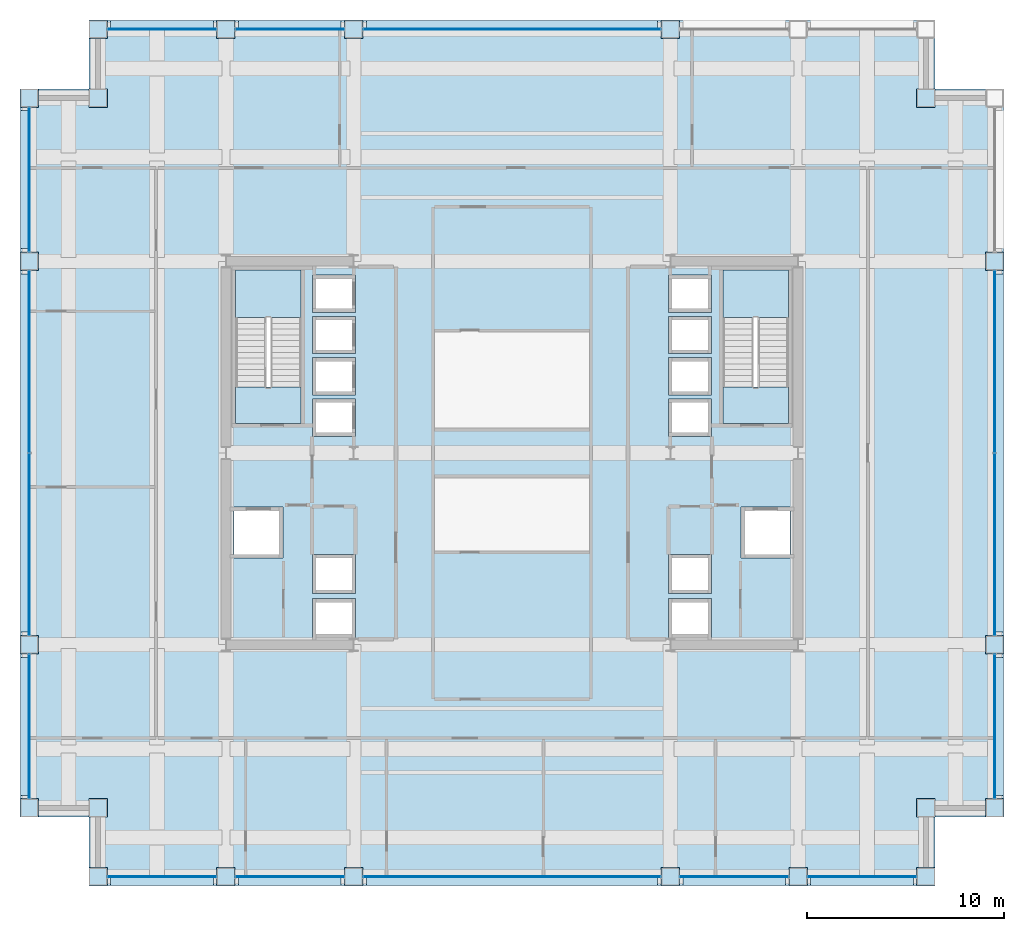
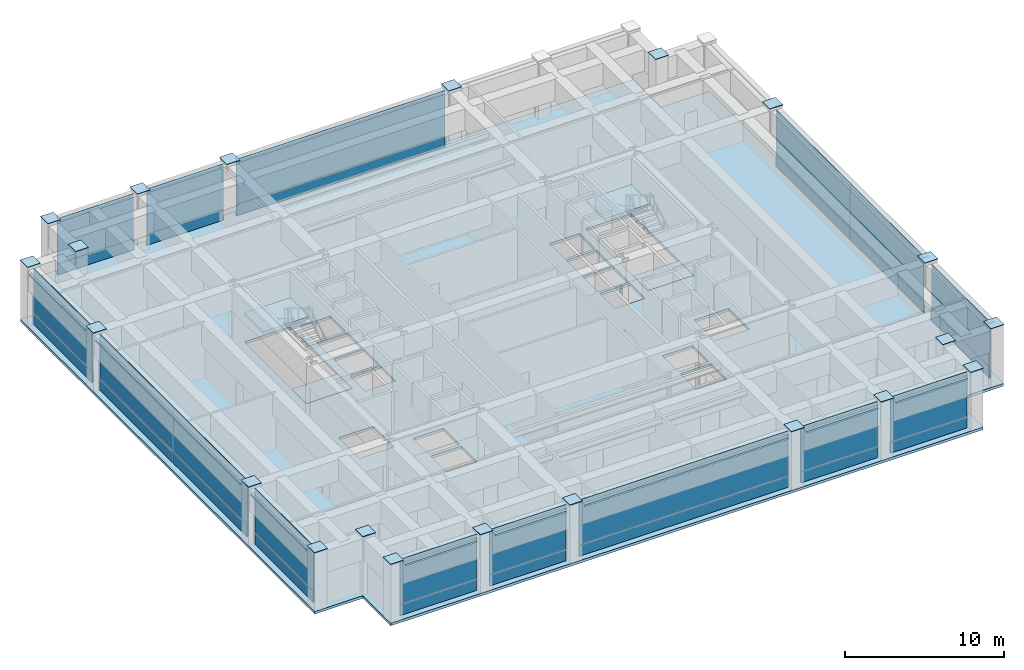
# One storey, part 24 of 29: 64 plates, 5 slabs, 15 elements without a shape of their own.
"""IFC4 building model written with IfcOpenShell, lengths in metres."""

from ifc_helpers import new_model, si_unit, direction, frame, origin, origin_2d, place, context, subcontext, project, spatial, polyline, rectangle, outline, extrude, material, layer, layer_set, type_object, element, aggregate, save


model = new_model("IFC4")

# Units and contexts
model_context = context("Model", 3, precision=1e-05, world=origin(), true_north=direction((0.0, 1.0)))
body_context = subcontext(model_context, "Body", "Model", "MODEL_VIEW")
ifc_project = project(units=[si_unit("LENGTHUNIT", "METRE"), si_unit("AREAUNIT", "SQUARE_METRE"), si_unit("VOLUMEUNIT", "CUBIC_METRE"), si_unit("PLANEANGLEUNIT", "RADIAN"), si_unit("MASSUNIT", "GRAM", prefix="KILO")], contexts=[model_context])

# Site, building, storey
site_placement = place(None, origin())
site = spatial("IfcSite", under=ifc_project, at=site_placement, CompositionType="ELEMENT")
building_placement = place(site_placement, origin())
building = spatial("IfcBuilding", under=site, at=building_placement, Name="Brelmoor Portico Tower", CompositionType="ELEMENT")
storey_placement = place(building_placement, frame((0.0, 0.0, 82.800048828125)))
storey = spatial("IfcBuildingStorey", under=building, at=storey_placement, Name="L21", CompositionType="ELEMENT", Elevation=82.800048828125)

# Plates
ifc_material_1 = material(Name="Steel Q355B", Category="steel")
ifc_layer_1 = layer(ifc_material_1, 0.044921875)
ifc_layer_set_1 = layer_set([ifc_layer_1], Name="Steel Q355B")
plate_type_1 = type_object("IfcPlateType", Name="PT-CAP-650", PredefinedType="SHEET", material=ifc_layer_set_1)
for number, where, z_axis, x_axis, name in (
    (1, (-21.050048828125, -21.550048828125, 4.5), (0.0, 0.0, 1.0), (1.0, 0.0, 0.0), "L21 Perimeter Mega-Column PS01 Welded Head Cap Plate"),
    (2, (-14.550048828125, -21.550048828125, 4.5), (0.0, 0.0, 1.0), (1.0, 0.0, 0.0), "L21 Perimeter Mega-Column PS02 Welded Head Cap Plate"),
    (3, (-8.050048828125, -21.550048828125, 4.5), (0.0, 0.0, 1.0), (1.0, 0.0, 0.0), "L21 Perimeter Mega-Column PS03 Welded Head Cap Plate"),
    (4, (8.050048828125, -21.550048828125, 4.5), (0.0, 0.0, 1.0), (1.0, 0.0, 0.0), "L21 Perimeter Mega-Column PS04 Welded Head Cap Plate"),
    (5, (14.550048828125, -21.550048828125, 4.5), (0.0, 0.0, 1.0), (1.0, 0.0, 0.0), "L21 Perimeter Mega-Column PS05 Welded Head Cap Plate"),
    (6, (21.050048828125, -21.550048828125, 4.5), (0.0, 0.0, 1.0), (1.0, 0.0, 0.0), "L21 Perimeter Mega-Column PS06 Welded Head Cap Plate"),
    (7, (-21.050048828125, 21.550048828125, 4.5), (0.0, 0.0, 1.0), (1.0, 0.0, 0.0), "L21 Perimeter Mega-Column PN01 Welded Head Cap Plate"),
    (8, (-14.550048828125, 21.550048828125, 4.5), (0.0, 0.0, 1.0), (1.0, 0.0, 0.0), "L21 Perimeter Mega-Column PN02 Welded Head Cap Plate"),
    (9, (-8.050048828125, 21.550048828125, 4.5), (0.0, 0.0, 1.0), (1.0, 0.0, 0.0), "L21 Perimeter Mega-Column PN03 Welded Head Cap Plate"),
    (10, (8.050048828125, 21.550048828125, 4.5), (0.0, 0.0, 1.0), (1.0, 0.0, 0.0), "L21 Perimeter Mega-Column PN04 Welded Head Cap Plate"),
    (11, (-24.550048828125, -18.050048828125, 4.5), (0.0, 0.0, 1.0), (0.0, 1.0, 0.0), "L21 Perimeter Mega-Column PW01 Welded Head Cap Plate"),
    (12, (-24.550048828125, -9.75, 4.5), (0.0, 0.0, 1.0), (0.0, 1.0, 0.0), "L21 Perimeter Mega-Column PW02 Welded Head Cap Plate"),
    (13, (-24.550048828125, 9.75, 4.5), (0.0, 0.0, 1.0), (0.0, 1.0, 0.0), "L21 Perimeter Mega-Column PW03 Welded Head Cap Plate"),
    (14, (-24.550048828125, 18.050048828125, 4.5), (0.0, 0.0, 1.0), (0.0, 1.0, 0.0), "L21 Perimeter Mega-Column PW04 Welded Head Cap Plate"),
    (15, (24.550048828125, -18.050048828125, 4.5), (0.0, 0.0, 1.0), (0.0, 1.0, 0.0), "L21 Perimeter Mega-Column PE01 Welded Head Cap Plate"),
    (16, (24.550048828125, -9.75, 4.5), (0.0, 0.0, 1.0), (0.0, 1.0, 0.0), "L21 Perimeter Mega-Column PE02 Welded Head Cap Plate"),
    (17, (24.550048828125, 9.75, 4.5), (0.0, 0.0, 1.0), (0.0, 1.0, 0.0), "L21 Perimeter Mega-Column PE03 Welded Head Cap Plate"),
    (18, (-21.050048828125, 18.050048828125, 4.5), (0.0, 0.0, 1.0), (1.0, 0.0, 0.0), "L21 Perimeter Mega-Column PC-NW Welded Head Cap Plate"),
    (19, (21.050048828125, 18.050048828125, 4.5), (0.0, 0.0, 1.0), (1.0, 0.0, 0.0), "L21 Perimeter Mega-Column PC-NE Welded Head Cap Plate"),
    (20, (21.050048828125, -18.050048828125, 4.5), (0.0, 0.0, 1.0), (1.0, 0.0, 0.0), "L21 Perimeter Mega-Column PC-SE Welded Head Cap Plate"),
    (21, (-21.050048828125, -18.050048828125, 4.5), (0.0, 0.0, 1.0), (1.0, 0.0, 0.0), "L21 Perimeter Mega-Column PC-SW Welded Head Cap Plate"),
):
    element("IfcPlate", number, at=place(storey_placement, frame(where, z_axis=z_axis, x_axis=x_axis)), inside=storey, type_object=plate_type_1, Name=name, PredefinedType="SHEET", context=body_context, shape_type="SweptSolid", body=[
        extrude(rectangle(XDim=0.93994140625, YDim=0.93994140625, at=origin_2d()), origin(), (0.0, 0.0, 1.0), 0.0400390625),
    ])

# Curtain wall, plate
ifc_material_2 = material(Name="Anodised Aluminium Alloy 6063-T6", Category="aluminium")
ifc_layer_2 = layer(ifc_material_2, 0.179931640625)
ifc_layer_set_2 = layer_set([ifc_layer_2], Name="Anodised Aluminium Alloy 6063-T6")
curtain_wall_type = type_object("IfcCurtainWallType", Name="CW-TOWER-Z1", PredefinedType="NOTDEFINED", material=ifc_layer_set_2)
curtain_wall_1_placement = place(storey_placement, origin())
curtain_wall_1 = element("IfcCurtainWall", 22, at=curtain_wall_1_placement, inside=storey, type_object=curtain_wall_type, Name="L21 Curtain Wall CW-L21-01-1", PredefinedType="NOTDEFINED")
ifc_material_3 = material(Name="Double-Silver Low-E Insulated Glazing", Category="glass")
ifc_layer_3 = layer(ifc_material_3, 0.035888671875)
ifc_layer_set_3 = layer_set([ifc_layer_3], Name="Double-Silver Low-E Insulated Glazing")
plate_type_2 = type_object("IfcPlateType", Name="PT-CW-GLASS", PredefinedType="CURTAIN_PANEL", material=ifc_layer_set_3)
plate_1_placement = place(storey_placement, frame((-17.800048828125, -21.550048828125, 0.85009765625), z_axis=(0.0, 0.0, 1.0), x_axis=(1.0, 0.0, 0.0)))
plate_1 = element("IfcPlate", 23, at=plate_1_placement, type_object=plate_type_2, Name="CW-L21-01-1 Vision Glass Panel 00", PredefinedType="CURTAIN_PANEL", context=body_context, shape_type="SweptSolid", body=[
    extrude(rectangle(XDim=5.550048828125, YDim=0.035888671875, at=origin_2d()), origin(), (0.0, 0.0, 1.0), 3.449951171875),
])

curtain_wall_2_placement = place(storey_placement, origin())
curtain_wall_2 = element("IfcCurtainWall", 24, at=curtain_wall_2_placement, inside=storey, type_object=curtain_wall_type, Name="L21 Curtain Wall CW-L21-01-2", PredefinedType="NOTDEFINED")
plate_2_placement = place(storey_placement, frame((-11.300048828125, -21.550048828125, 0.85009765625), z_axis=(0.0, 0.0, 1.0), x_axis=(1.0, 0.0, 0.0)))
plate_2 = element("IfcPlate", 25, at=plate_2_placement, type_object=plate_type_2, Name="CW-L21-01-2 Vision Glass Panel 00", PredefinedType="CURTAIN_PANEL", context=body_context, shape_type="SweptSolid", body=[
    extrude(rectangle(XDim=5.550048828125, YDim=0.035888671875, at=origin_2d()), origin(), (0.0, 0.0, 1.0), 3.449951171875),
])

curtain_wall_3_placement = place(storey_placement, origin())
curtain_wall_3 = element("IfcCurtainWall", 26, at=curtain_wall_3_placement, inside=storey, type_object=curtain_wall_type, Name="L21 Curtain Wall CW-L21-01-3", PredefinedType="NOTDEFINED")
plate_3_placement = place(storey_placement, frame((0.0, -21.550048828125, 0.85009765625), z_axis=(0.0, 0.0, 1.0), x_axis=(1.0, 0.0, 0.0)))
plate_3 = element("IfcPlate", 27, at=plate_3_placement, type_object=plate_type_2, Name="CW-L21-01-3 Vision Glass Panel 00", PredefinedType="CURTAIN_PANEL", context=body_context, shape_type="SweptSolid", body=[
    extrude(rectangle(XDim=15.14990234375, YDim=0.035888671875, at=origin_2d()), origin(), (0.0, 0.0, 1.0), 3.449951171875),
])

curtain_wall_4_placement = place(storey_placement, origin())
curtain_wall_4 = element("IfcCurtainWall", 28, at=curtain_wall_4_placement, inside=storey, type_object=curtain_wall_type, Name="L21 Curtain Wall CW-L21-01-4", PredefinedType="NOTDEFINED")
plate_4_placement = place(storey_placement, frame((11.300048828125, -21.550048828125, 0.85009765625), z_axis=(0.0, 0.0, 1.0), x_axis=(1.0, 0.0, 0.0)))
plate_4 = element("IfcPlate", 29, at=plate_4_placement, type_object=plate_type_2, Name="CW-L21-01-4 Vision Glass Panel 00", PredefinedType="CURTAIN_PANEL", context=body_context, shape_type="SweptSolid", body=[
    extrude(rectangle(XDim=5.550048828125, YDim=0.035888671875, at=origin_2d()), origin(), (0.0, 0.0, 1.0), 3.449951171875),
])

curtain_wall_5_placement = place(storey_placement, origin())
curtain_wall_5 = element("IfcCurtainWall", 30, at=curtain_wall_5_placement, inside=storey, type_object=curtain_wall_type, Name="L21 Curtain Wall CW-L21-01-5", PredefinedType="NOTDEFINED")
plate_5_placement = place(storey_placement, frame((17.800048828125, -21.550048828125, 0.85009765625), z_axis=(0.0, 0.0, 1.0), x_axis=(1.0, 0.0, 0.0)))
plate_5 = element("IfcPlate", 31, at=plate_5_placement, type_object=plate_type_2, Name="CW-L21-01-5 Vision Glass Panel 00", PredefinedType="CURTAIN_PANEL", context=body_context, shape_type="SweptSolid", body=[
    extrude(rectangle(XDim=5.550048828125, YDim=0.035888671875, at=origin_2d()), origin(), (0.0, 0.0, 1.0), 3.449951171875),
])

curtain_wall_6_placement = place(storey_placement, origin())
curtain_wall_6 = element("IfcCurtainWall", 32, at=curtain_wall_6_placement, inside=storey, type_object=curtain_wall_type, Name="L21 Curtain Wall CW-L21-02-1", PredefinedType="NOTDEFINED")
plate_6_placement = place(storey_placement, frame((-17.800048828125, 21.550048828125, 0.85009765625), z_axis=(0.0, 0.0, 1.0), x_axis=(1.0, 0.0, 0.0)))
plate_6 = element("IfcPlate", 33, at=plate_6_placement, type_object=plate_type_2, Name="CW-L21-02-1 Vision Glass Panel 00", PredefinedType="CURTAIN_PANEL", context=body_context, shape_type="SweptSolid", body=[
    extrude(rectangle(XDim=5.550048828125, YDim=0.035888671875, at=origin_2d()), origin(), (0.0, 0.0, 1.0), 3.449951171875),
])

curtain_wall_7_placement = place(storey_placement, origin())
curtain_wall_7 = element("IfcCurtainWall", 34, at=curtain_wall_7_placement, inside=storey, type_object=curtain_wall_type, Name="L21 Curtain Wall CW-L21-02-2", PredefinedType="NOTDEFINED")
plate_7_placement = place(storey_placement, frame((-11.300048828125, 21.550048828125, 0.85009765625), z_axis=(0.0, 0.0, 1.0), x_axis=(1.0, 0.0, 0.0)))
plate_7 = element("IfcPlate", 35, at=plate_7_placement, type_object=plate_type_2, Name="CW-L21-02-2 Vision Glass Panel 00", PredefinedType="CURTAIN_PANEL", context=body_context, shape_type="SweptSolid", body=[
    extrude(rectangle(XDim=5.550048828125, YDim=0.035888671875, at=origin_2d()), origin(), (0.0, 0.0, 1.0), 3.449951171875),
])

curtain_wall_8_placement = place(storey_placement, origin())
curtain_wall_8 = element("IfcCurtainWall", 36, at=curtain_wall_8_placement, inside=storey, type_object=curtain_wall_type, Name="L21 Curtain Wall CW-L21-02-3", PredefinedType="NOTDEFINED")
plate_8_placement = place(storey_placement, frame((0.0, 21.550048828125, 0.85009765625), z_axis=(0.0, 0.0, 1.0), x_axis=(1.0, 0.0, 0.0)))
plate_8 = element("IfcPlate", 37, at=plate_8_placement, type_object=plate_type_2, Name="CW-L21-02-3 Vision Glass Panel 00", PredefinedType="CURTAIN_PANEL", context=body_context, shape_type="SweptSolid", body=[
    extrude(rectangle(XDim=15.14990234375, YDim=0.035888671875, at=origin_2d()), origin(), (0.0, 0.0, 1.0), 3.449951171875),
])

curtain_wall_9_placement = place(storey_placement, origin())
curtain_wall_9 = element("IfcCurtainWall", 38, at=curtain_wall_9_placement, inside=storey, type_object=curtain_wall_type, Name="L21 Curtain Wall CW-L21-03-1", PredefinedType="NOTDEFINED")
plate_9_placement = place(storey_placement, frame((-24.550048828125, -13.89990234375, 0.85009765625), z_axis=(0.0, 0.0, 1.0), x_axis=(0.0, 1.0, 0.0)))
plate_9 = element("IfcPlate", 39, at=plate_9_placement, type_object=plate_type_2, Name="CW-L21-03-1 Vision Glass Panel 00", PredefinedType="CURTAIN_PANEL", context=body_context, shape_type="SweptSolid", body=[
    extrude(rectangle(XDim=7.35009765625, YDim=0.035888671875, at=origin_2d()), origin(), (0.0, 0.0, 1.0), 3.449951171875),
])

# Curtain wall, plates
curtain_wall_10_placement = place(storey_placement, origin())
curtain_wall_10 = element("IfcCurtainWall", 40, at=curtain_wall_10_placement, inside=storey, type_object=curtain_wall_type, Name="L21 Curtain Wall CW-L21-03-2", PredefinedType="NOTDEFINED")
plate_10_placement = place(storey_placement, frame((-24.550048828125, -4.64501953125, 0.85009765625), z_axis=(0.0, 0.0, 1.0), x_axis=(0.0, 1.0, 0.0)))
plate_10 = element("IfcPlate", 41, at=plate_10_placement, type_object=plate_type_2, Name="CW-L21-03-2 Vision Glass Panel 00", PredefinedType="CURTAIN_PANEL", context=body_context, shape_type="SweptSolid", body=[
    extrude(rectangle(XDim=9.260009765625, YDim=0.035888671875, at=origin_2d()), origin(), (0.0, 0.0, 1.0), 3.449951171875),
])
plate_11_placement = place(storey_placement, frame((-24.550048828125, 4.64501953125, 0.85009765625), z_axis=(0.0, 0.0, 1.0), x_axis=(0.0, 1.0, 0.0)))
plate_11 = element("IfcPlate", 42, at=plate_11_placement, type_object=plate_type_2, Name="CW-L21-03-2 Vision Glass Panel 01", PredefinedType="CURTAIN_PANEL", context=body_context, shape_type="SweptSolid", body=[
    extrude(rectangle(XDim=9.260009765625, YDim=0.035888671875, at=origin_2d()), origin(), (0.0, 0.0, 1.0), 3.449951171875),
])

# Curtain wall, plate
curtain_wall_11_placement = place(storey_placement, origin())
curtain_wall_11 = element("IfcCurtainWall", 43, at=curtain_wall_11_placement, inside=storey, type_object=curtain_wall_type, Name="L21 Curtain Wall CW-L21-03-3", PredefinedType="NOTDEFINED")
plate_12_placement = place(storey_placement, frame((-24.550048828125, 13.89990234375, 0.85009765625), z_axis=(0.0, 0.0, 1.0), x_axis=(0.0, 1.0, 0.0)))
plate_12 = element("IfcPlate", 44, at=plate_12_placement, type_object=plate_type_2, Name="CW-L21-03-3 Vision Glass Panel 00", PredefinedType="CURTAIN_PANEL", context=body_context, shape_type="SweptSolid", body=[
    extrude(rectangle(XDim=7.35009765625, YDim=0.035888671875, at=origin_2d()), origin(), (0.0, 0.0, 1.0), 3.449951171875),
])

curtain_wall_12_placement = place(storey_placement, origin())
curtain_wall_12 = element("IfcCurtainWall", 45, at=curtain_wall_12_placement, inside=storey, type_object=curtain_wall_type, Name="L21 Curtain Wall CW-L21-04-1", PredefinedType="NOTDEFINED")
plate_13_placement = place(storey_placement, frame((24.550048828125, -13.89990234375, 0.85009765625), z_axis=(0.0, 0.0, 1.0), x_axis=(0.0, 1.0, 0.0)))
plate_13 = element("IfcPlate", 46, at=plate_13_placement, type_object=plate_type_2, Name="CW-L21-04-1 Vision Glass Panel 00", PredefinedType="CURTAIN_PANEL", context=body_context, shape_type="SweptSolid", body=[
    extrude(rectangle(XDim=7.35009765625, YDim=0.035888671875, at=origin_2d()), origin(), (0.0, 0.0, 1.0), 3.449951171875),
])

# Curtain wall, plates
curtain_wall_13_placement = place(storey_placement, origin())
curtain_wall_13 = element("IfcCurtainWall", 47, at=curtain_wall_13_placement, inside=storey, type_object=curtain_wall_type, Name="L21 Curtain Wall CW-L21-04-2", PredefinedType="NOTDEFINED")
plate_14_placement = place(storey_placement, frame((24.550048828125, -4.64501953125, 0.85009765625), z_axis=(0.0, 0.0, 1.0), x_axis=(0.0, 1.0, 0.0)))
plate_14 = element("IfcPlate", 48, at=plate_14_placement, type_object=plate_type_2, Name="CW-L21-04-2 Vision Glass Panel 00", PredefinedType="CURTAIN_PANEL", context=body_context, shape_type="SweptSolid", body=[
    extrude(rectangle(XDim=9.260009765625, YDim=0.035888671875, at=origin_2d()), origin(), (0.0, 0.0, 1.0), 3.449951171875),
])
plate_15_placement = place(storey_placement, frame((24.550048828125, 4.64501953125, 0.85009765625), z_axis=(0.0, 0.0, 1.0), x_axis=(0.0, 1.0, 0.0)))
plate_15 = element("IfcPlate", 49, at=plate_15_placement, type_object=plate_type_2, Name="CW-L21-04-2 Vision Glass Panel 01", PredefinedType="CURTAIN_PANEL", context=body_context, shape_type="SweptSolid", body=[
    extrude(rectangle(XDim=9.260009765625, YDim=0.035888671875, at=origin_2d()), origin(), (0.0, 0.0, 1.0), 3.449951171875),
])

# Plate
ifc_material_4 = material(Name="Pale Champagne Anodised Aluminium Panel", Category="aluminium")
ifc_layer_4 = layer(ifc_material_4, 0.050048828125)
ifc_layer_set_4 = layer_set([ifc_layer_4], Name="Pale Champagne Anodised Aluminium Panel")
plate_type_3 = type_object("IfcPlateType", Name="PT-CW-SPANDREL", PredefinedType="SHEET", material=ifc_layer_set_4)
plate_16_placement = place(storey_placement, frame((-17.800048828125, -21.550048828125, 0.0), z_axis=(0.0, 0.0, 1.0), x_axis=(1.0, 0.0, 0.0)))
plate_16 = element("IfcPlate", 50, at=plate_16_placement, type_object=plate_type_3, Name="CW-L21-01-1 Spandrel Panel 00", PredefinedType="SHEET", context=body_context, shape_type="SweptSolid", body=[
    extrude(rectangle(XDim=5.550048828125, YDim=0.050048828125, at=origin_2d()), origin(), (0.0, 0.0, 1.0), 0.85009765625),
])

aggregate(curtain_wall_1, [plate_16, plate_1])

plate_17_placement = place(storey_placement, frame((-11.300048828125, -21.550048828125, 0.0), z_axis=(0.0, 0.0, 1.0), x_axis=(1.0, 0.0, 0.0)))
plate_17 = element("IfcPlate", 51, at=plate_17_placement, type_object=plate_type_3, Name="CW-L21-01-2 Spandrel Panel 00", PredefinedType="SHEET", context=body_context, shape_type="SweptSolid", body=[
    extrude(rectangle(XDim=5.550048828125, YDim=0.050048828125, at=origin_2d()), origin(), (0.0, 0.0, 1.0), 0.85009765625),
])

aggregate(curtain_wall_2, [plate_17, plate_2])

plate_18_placement = place(storey_placement, frame((0.0, -21.550048828125, 0.0), z_axis=(0.0, 0.0, 1.0), x_axis=(1.0, 0.0, 0.0)))
plate_18 = element("IfcPlate", 52, at=plate_18_placement, type_object=plate_type_3, Name="CW-L21-01-3 Spandrel Panel 00", PredefinedType="SHEET", context=body_context, shape_type="SweptSolid", body=[
    extrude(rectangle(XDim=15.14990234375, YDim=0.050048828125, at=origin_2d()), origin(), (0.0, 0.0, 1.0), 0.85009765625),
])

aggregate(curtain_wall_3, [plate_18, plate_3])

plate_19_placement = place(storey_placement, frame((11.300048828125, -21.550048828125, 0.0), z_axis=(0.0, 0.0, 1.0), x_axis=(1.0, 0.0, 0.0)))
plate_19 = element("IfcPlate", 53, at=plate_19_placement, type_object=plate_type_3, Name="CW-L21-01-4 Spandrel Panel 00", PredefinedType="SHEET", context=body_context, shape_type="SweptSolid", body=[
    extrude(rectangle(XDim=5.550048828125, YDim=0.050048828125, at=origin_2d()), origin(), (0.0, 0.0, 1.0), 0.85009765625),
])

aggregate(curtain_wall_4, [plate_19, plate_4])

plate_20_placement = place(storey_placement, frame((17.800048828125, -21.550048828125, 0.0), z_axis=(0.0, 0.0, 1.0), x_axis=(1.0, 0.0, 0.0)))
plate_20 = element("IfcPlate", 54, at=plate_20_placement, type_object=plate_type_3, Name="CW-L21-01-5 Spandrel Panel 00", PredefinedType="SHEET", context=body_context, shape_type="SweptSolid", body=[
    extrude(rectangle(XDim=5.550048828125, YDim=0.050048828125, at=origin_2d()), origin(), (0.0, 0.0, 1.0), 0.85009765625),
])

aggregate(curtain_wall_5, [plate_20, plate_5])

plate_21_placement = place(storey_placement, frame((-17.800048828125, 21.550048828125, 0.0), z_axis=(0.0, 0.0, 1.0), x_axis=(1.0, 0.0, 0.0)))
plate_21 = element("IfcPlate", 55, at=plate_21_placement, type_object=plate_type_3, Name="CW-L21-02-1 Spandrel Panel 00", PredefinedType="SHEET", context=body_context, shape_type="SweptSolid", body=[
    extrude(rectangle(XDim=5.550048828125, YDim=0.050048828125, at=origin_2d()), origin(), (0.0, 0.0, 1.0), 0.85009765625),
])

aggregate(curtain_wall_6, [plate_21, plate_6])

plate_22_placement = place(storey_placement, frame((-11.300048828125, 21.550048828125, 0.0), z_axis=(0.0, 0.0, 1.0), x_axis=(1.0, 0.0, 0.0)))
plate_22 = element("IfcPlate", 56, at=plate_22_placement, type_object=plate_type_3, Name="CW-L21-02-2 Spandrel Panel 00", PredefinedType="SHEET", context=body_context, shape_type="SweptSolid", body=[
    extrude(rectangle(XDim=5.550048828125, YDim=0.050048828125, at=origin_2d()), origin(), (0.0, 0.0, 1.0), 0.85009765625),
])

aggregate(curtain_wall_7, [plate_22, plate_7])

plate_23_placement = place(storey_placement, frame((0.0, 21.550048828125, 0.0), z_axis=(0.0, 0.0, 1.0), x_axis=(1.0, 0.0, 0.0)))
plate_23 = element("IfcPlate", 57, at=plate_23_placement, type_object=plate_type_3, Name="CW-L21-02-3 Spandrel Panel 00", PredefinedType="SHEET", context=body_context, shape_type="SweptSolid", body=[
    extrude(rectangle(XDim=15.14990234375, YDim=0.050048828125, at=origin_2d()), origin(), (0.0, 0.0, 1.0), 0.85009765625),
])

aggregate(curtain_wall_8, [plate_23, plate_8])

plate_24_placement = place(storey_placement, frame((-24.550048828125, -13.89990234375, 0.0), z_axis=(0.0, 0.0, 1.0), x_axis=(0.0, 1.0, 0.0)))
plate_24 = element("IfcPlate", 58, at=plate_24_placement, type_object=plate_type_3, Name="CW-L21-03-1 Spandrel Panel 00", PredefinedType="SHEET", context=body_context, shape_type="SweptSolid", body=[
    extrude(rectangle(XDim=7.35009765625, YDim=0.050048828125, at=origin_2d()), origin(), (0.0, 0.0, 1.0), 0.85009765625),
])

aggregate(curtain_wall_9, [plate_24, plate_9])

plate_25_placement = place(storey_placement, frame((-24.550048828125, -4.64501953125, 0.0), z_axis=(0.0, 0.0, 1.0), x_axis=(0.0, 1.0, 0.0)))
plate_25 = element("IfcPlate", 59, at=plate_25_placement, type_object=plate_type_3, Name="CW-L21-03-2 Spandrel Panel 00", PredefinedType="SHEET", context=body_context, shape_type="SweptSolid", body=[
    extrude(rectangle(XDim=9.260009765625, YDim=0.050048828125, at=origin_2d()), origin(), (0.0, 0.0, 1.0), 0.85009765625),
])

plate_26_placement = place(storey_placement, frame((-24.550048828125, 4.64501953125, 0.0), z_axis=(0.0, 0.0, 1.0), x_axis=(0.0, 1.0, 0.0)))
plate_26 = element("IfcPlate", 60, at=plate_26_placement, type_object=plate_type_3, Name="CW-L21-03-2 Spandrel Panel 01", PredefinedType="SHEET", context=body_context, shape_type="SweptSolid", body=[
    extrude(rectangle(XDim=9.260009765625, YDim=0.050048828125, at=origin_2d()), origin(), (0.0, 0.0, 1.0), 0.85009765625),
])

aggregate(curtain_wall_10, [plate_25, plate_10, plate_26, plate_11])

plate_27_placement = place(storey_placement, frame((-24.550048828125, 13.89990234375, 0.0), z_axis=(0.0, 0.0, 1.0), x_axis=(0.0, 1.0, 0.0)))
plate_27 = element("IfcPlate", 61, at=plate_27_placement, type_object=plate_type_3, Name="CW-L21-03-3 Spandrel Panel 00", PredefinedType="SHEET", context=body_context, shape_type="SweptSolid", body=[
    extrude(rectangle(XDim=7.35009765625, YDim=0.050048828125, at=origin_2d()), origin(), (0.0, 0.0, 1.0), 0.85009765625),
])

aggregate(curtain_wall_11, [plate_27, plate_12])

plate_28_placement = place(storey_placement, frame((24.550048828125, -13.89990234375, 0.0), z_axis=(0.0, 0.0, 1.0), x_axis=(0.0, 1.0, 0.0)))
plate_28 = element("IfcPlate", 62, at=plate_28_placement, type_object=plate_type_3, Name="CW-L21-04-1 Spandrel Panel 00", PredefinedType="SHEET", context=body_context, shape_type="SweptSolid", body=[
    extrude(rectangle(XDim=7.35009765625, YDim=0.050048828125, at=origin_2d()), origin(), (0.0, 0.0, 1.0), 0.85009765625),
])

aggregate(curtain_wall_12, [plate_28, plate_13])

plate_29_placement = place(storey_placement, frame((24.550048828125, -4.64501953125, 0.0), z_axis=(0.0, 0.0, 1.0), x_axis=(0.0, 1.0, 0.0)))
plate_29 = element("IfcPlate", 63, at=plate_29_placement, type_object=plate_type_3, Name="CW-L21-04-2 Spandrel Panel 00", PredefinedType="SHEET", context=body_context, shape_type="SweptSolid", body=[
    extrude(rectangle(XDim=9.260009765625, YDim=0.050048828125, at=origin_2d()), origin(), (0.0, 0.0, 1.0), 0.85009765625),
])

plate_30_placement = place(storey_placement, frame((24.550048828125, 4.64501953125, 0.0), z_axis=(0.0, 0.0, 1.0), x_axis=(0.0, 1.0, 0.0)))
plate_30 = element("IfcPlate", 64, at=plate_30_placement, type_object=plate_type_3, Name="CW-L21-04-2 Spandrel Panel 01", PredefinedType="SHEET", context=body_context, shape_type="SweptSolid", body=[
    extrude(rectangle(XDim=9.260009765625, YDim=0.050048828125, at=origin_2d()), origin(), (0.0, 0.0, 1.0), 0.85009765625),
])

aggregate(curtain_wall_13, [plate_29, plate_14, plate_30, plate_15])

# Plates
ifc_material_5 = material(Name="Pale Champagne Perforated Aluminium Solar Screen", Category="aluminium")
ifc_layer_5 = layer(ifc_material_5, 0.054931640625)
ifc_layer_set_5 = layer_set([ifc_layer_5], Name="Pale Champagne Perforated Aluminium Solar Screen")
plate_type_4 = type_object("IfcPlateType", Name="PT-SOLAR-LOUVRE", PredefinedType="SHEET", material=ifc_layer_set_5)
for number, where, z_axis, x_axis, name in (
    (65, (-17.800048828125, -21.760009765625, 3.990234375), (0.0, 0.0, 1.0), (1.0, 0.0, 0.0), "CW-L21-01-1 Caribbean Brise-Soleil Solar Screen"),
    (66, (-11.300048828125, -21.760009765625, 3.990234375), (0.0, 0.0, 1.0), (1.0, 0.0, 0.0), "CW-L21-01-2 Caribbean Brise-Soleil Solar Screen"),
):
    element("IfcPlate", number, at=place(storey_placement, frame(where, z_axis=z_axis, x_axis=x_axis)), inside=storey, type_object=plate_type_4, Name=name, PredefinedType="SHEET", context=body_context, shape_type="SweptSolid", body=[
        extrude(rectangle(XDim=5.219970703125, YDim=0.4599609375, at=origin_2d()), origin(), (0.0, 0.0, 1.0), 0.139892578125),
    ])
plate_31_placement = place(storey_placement, frame((0.0, -21.760009765625, 3.990234375), z_axis=(0.0, 0.0, 1.0), x_axis=(1.0, 0.0, 0.0)))
element("IfcPlate", 67, at=plate_31_placement, inside=storey, type_object=plate_type_4, Name="CW-L21-01-3 Caribbean Brise-Soleil Solar Screen", PredefinedType="SHEET", context=body_context, shape_type="SweptSolid", body=[
    extrude(rectangle(XDim=14.820068359375, YDim=0.4599609375, at=origin_2d()), origin(), (0.0, 0.0, 1.0), 0.139892578125),
])
for number, where, z_axis, x_axis, name in (
    (68, (11.300048828125, -21.760009765625, 3.990234375), (0.0, 0.0, 1.0), (1.0, 0.0, 0.0), "CW-L21-01-4 Caribbean Brise-Soleil Solar Screen"),
    (69, (17.800048828125, -21.760009765625, 3.990234375), (0.0, 0.0, 1.0), (1.0, 0.0, 0.0), "CW-L21-01-5 Caribbean Brise-Soleil Solar Screen"),
    (70, (-17.800048828125, 21.760009765625, 3.990234375), (0.0, 0.0, 1.0), (1.0, 0.0, 0.0), "CW-L21-02-1 Caribbean Brise-Soleil Solar Screen"),
    (71, (-11.300048828125, 21.760009765625, 3.990234375), (0.0, 0.0, 1.0), (1.0, 0.0, 0.0), "CW-L21-02-2 Caribbean Brise-Soleil Solar Screen"),
):
    element("IfcPlate", number, at=place(storey_placement, frame(where, z_axis=z_axis, x_axis=x_axis)), inside=storey, type_object=plate_type_4, Name=name, PredefinedType="SHEET", context=body_context, shape_type="SweptSolid", body=[
        extrude(rectangle(XDim=5.219970703125, YDim=0.4599609375, at=origin_2d()), origin(), (0.0, 0.0, 1.0), 0.139892578125),
    ])
plate_32_placement = place(storey_placement, frame((0.0, 21.760009765625, 3.990234375), z_axis=(0.0, 0.0, 1.0), x_axis=(1.0, 0.0, 0.0)))
element("IfcPlate", 72, at=plate_32_placement, inside=storey, type_object=plate_type_4, Name="CW-L21-02-3 Caribbean Brise-Soleil Solar Screen", PredefinedType="SHEET", context=body_context, shape_type="SweptSolid", body=[
    extrude(rectangle(XDim=14.820068359375, YDim=0.4599609375, at=origin_2d()), origin(), (0.0, 0.0, 1.0), 0.139892578125),
])
plate_33_placement = place(storey_placement, frame((-24.760009765625, -13.89990234375, 3.990234375), z_axis=(0.0, 0.0, 1.0), x_axis=(0.0, 1.0, 0.0)))
element("IfcPlate", 73, at=plate_33_placement, inside=storey, type_object=plate_type_4, Name="CW-L21-03-1 Caribbean Brise-Soleil Solar Screen", PredefinedType="SHEET", context=body_context, shape_type="SweptSolid", body=[
    extrude(rectangle(XDim=7.02001953125, YDim=0.4599609375, at=origin_2d()), origin(), (0.0, 0.0, 1.0), 0.139892578125),
])
plate_34_placement = place(storey_placement, frame((-24.760009765625, 0.0, 3.990234375), z_axis=(0.0, 0.0, 1.0), x_axis=(0.0, 1.0, 0.0)))
element("IfcPlate", 74, at=plate_34_placement, inside=storey, type_object=plate_type_4, Name="CW-L21-03-2 Caribbean Brise-Soleil Solar Screen", PredefinedType="SHEET", context=body_context, shape_type="SweptSolid", body=[
    extrude(rectangle(XDim=18.219970703125, YDim=0.4599609375, at=origin_2d()), origin(), (0.0, 0.0, 1.0), 0.139892578125),
])
for number, where, z_axis, x_axis, name in (
    (75, (-24.760009765625, 13.89990234375, 3.990234375), (0.0, 0.0, 1.0), (0.0, 1.0, 0.0), "CW-L21-03-3 Caribbean Brise-Soleil Solar Screen"),
    (76, (24.760009765625, -13.89990234375, 3.990234375), (0.0, 0.0, 1.0), (0.0, 1.0, 0.0), "CW-L21-04-1 Caribbean Brise-Soleil Solar Screen"),
):
    element("IfcPlate", number, at=place(storey_placement, frame(where, z_axis=z_axis, x_axis=x_axis)), inside=storey, type_object=plate_type_4, Name=name, PredefinedType="SHEET", context=body_context, shape_type="SweptSolid", body=[
        extrude(rectangle(XDim=7.02001953125, YDim=0.4599609375, at=origin_2d()), origin(), (0.0, 0.0, 1.0), 0.139892578125),
    ])
plate_35_placement = place(storey_placement, frame((24.760009765625, 0.0, 3.990234375), z_axis=(0.0, 0.0, 1.0), x_axis=(0.0, 1.0, 0.0)))
element("IfcPlate", 77, at=plate_35_placement, inside=storey, type_object=plate_type_4, Name="CW-L21-04-2 Caribbean Brise-Soleil Solar Screen", PredefinedType="SHEET", context=body_context, shape_type="SweptSolid", body=[
    extrude(rectangle(XDim=18.219970703125, YDim=0.4599609375, at=origin_2d()), origin(), (0.0, 0.0, 1.0), 0.139892578125),
])

# Slab
ifc_material_6 = material(Name="Concrete C40", Category="concrete")
ifc_layer_6 = layer(ifc_material_6, 0.199951171875)
ifc_layer_set_6 = layer_set([ifc_layer_6], Name="Concrete C40")
slab_type_1 = type_object("IfcSlabType", Name="SL-FLOOR-200", PredefinedType="FLOOR", material=ifc_layer_set_6)
slab_1_placement = place(storey_placement, frame((0.0, 0.0, -0.199951171875)))
element("IfcSlab", 78, at=slab_1_placement, inside=storey, type_object=slab_type_1, Name="L21 Main Structural Floor Slab", PredefinedType="FLOOR", context=body_context, shape_type="SweptSolid", body=[
    extrude(outline(polyline([(-21.5, -22.0), (21.5, -22.0), (21.5, -18.5), (25.0, -18.5), (25.0, 18.5), (21.5, 18.5), (21.5, 22.0), (-21.5, 22.0), (-21.5, 18.5), (-25.0, 18.5), (-25.0, -18.5), (-21.5, -18.5), (-21.5, -22.0)]), holes=[polyline([(-10.72998046875, 1.5), (-10.72998046875, 9.300048828125), (-14.050048828125, 9.300048828125), (-14.050048828125, 1.5), (-10.72998046875, 1.5)]), polyline([(14.050048828125, 1.5), (14.050048828125, 9.300048828125), (10.72998046875, 9.300048828125), (10.72998046875, 1.5), (14.050048828125, 1.5)]), polyline([(-10.14990234375, 0.85009765625), (-7.949951171875, 0.85009765625), (-7.949951171875, 2.75), (-10.14990234375, 2.75), (-10.14990234375, 0.85009765625)]), polyline([(-10.14990234375, 2.949951171875), (-7.949951171875, 2.949951171875), (-7.949951171875, 4.85009765625), (-10.14990234375, 4.85009765625), (-10.14990234375, 2.949951171875)]), polyline([(-10.14990234375, 5.050048828125), (-7.949951171875, 5.050048828125), (-7.949951171875, 6.949951171875), (-10.14990234375, 6.949951171875), (-10.14990234375, 5.050048828125)]), polyline([(-10.14990234375, 7.14990234375), (-7.949951171875, 7.14990234375), (-7.949951171875, 9.050048828125), (-10.14990234375, 9.050048828125), (-10.14990234375, 7.14990234375)]), polyline([(7.949951171875, 0.85009765625), (10.14990234375, 0.85009765625), (10.14990234375, 2.75), (7.949951171875, 2.75), (7.949951171875, 0.85009765625)]), polyline([(7.949951171875, 2.949951171875), (10.14990234375, 2.949951171875), (10.14990234375, 4.85009765625), (7.949951171875, 4.85009765625), (7.949951171875, 2.949951171875)]), polyline([(7.949951171875, 5.050048828125), (10.14990234375, 5.050048828125), (10.14990234375, 6.949951171875), (7.949951171875, 6.949951171875), (7.949951171875, 5.050048828125)]), polyline([(7.949951171875, 7.14990234375), (10.14990234375, 7.14990234375), (10.14990234375, 9.050048828125), (7.949951171875, 9.050048828125), (7.949951171875, 7.14990234375)]), polyline([(-10.14990234375, -9.39990234375), (-7.949951171875, -9.39990234375), (-7.949951171875, -7.39990234375), (-10.14990234375, -7.39990234375), (-10.14990234375, -9.39990234375)]), polyline([(-10.14990234375, -7.14990234375), (-7.949951171875, -7.14990234375), (-7.949951171875, -5.14990234375), (-10.14990234375, -5.14990234375), (-10.14990234375, -7.14990234375)]), polyline([(7.949951171875, -9.39990234375), (10.14990234375, -9.39990234375), (10.14990234375, -7.39990234375), (7.949951171875, -7.39990234375), (7.949951171875, -9.39990234375)]), polyline([(7.949951171875, -7.14990234375), (10.14990234375, -7.14990234375), (10.14990234375, -5.14990234375), (7.949951171875, -5.14990234375), (7.949951171875, -7.14990234375)]), polyline([(-14.14990234375, -5.35009765625), (-11.64990234375, -5.35009765625), (-11.64990234375, -2.75), (-14.14990234375, -2.75), (-14.14990234375, -5.35009765625)]), polyline([(11.64990234375, -5.35009765625), (14.14990234375, -5.35009765625), (14.14990234375, -2.75), (11.64990234375, -2.75), (11.64990234375, -5.35009765625)])]), origin(), (0.0, 0.0, 1.0), 0.199951171875),
])

# Stair, slab
stair_type_1 = type_object("IfcStairType", Name="ST-CORE-W", PredefinedType="HALF_TURN_STAIR", material=ifc_material_6)
stair_1_placement = place(storey_placement, origin())
stair_1 = element("IfcStair", 79, at=stair_1_placement, inside=storey, type_object=stair_type_1, Name="L21 Protected Core Exit Stair ST-W", PredefinedType="HALF_TURN_STAIR")
ifc_layer_7 = layer(ifc_material_6, 0.179931640625)
ifc_layer_set_7 = layer_set([ifc_layer_7], Name="Concrete C40")
slab_type_2 = type_object("IfcSlabType", Name="SL-LANDING-180", PredefinedType="LANDING", material=ifc_layer_set_7)
slab_2_placement = place(storey_placement, frame((0.0, 0.0, 2.050048828125)))
slab_2 = element("IfcSlab", 80, at=slab_2_placement, type_object=slab_type_2, Name="ST-W landing 1", PredefinedType="LANDING", context=body_context, shape_type="SweptSolid", body=[
    extrude(outline(polyline([(-10.72998046875, 6.889892578125), (-10.72998046875, 9.300048828125), (-14.050048828125, 9.300048828125), (-14.050048828125, 6.889892578125), (-10.72998046875, 6.889892578125)])), origin(), (0.0, 0.0, 1.0), 0.199951171875),
])
aggregate(stair_1, [slab_2])

stair_type_2 = type_object("IfcStairType", Name="ST-CORE-E", PredefinedType="HALF_TURN_STAIR", material=ifc_material_6)
stair_2_placement = place(storey_placement, origin())
stair_2 = element("IfcStair", 81, at=stair_2_placement, inside=storey, type_object=stair_type_2, Name="L21 Protected Core Exit Stair ST-E", PredefinedType="HALF_TURN_STAIR")
slab_3_placement = place(storey_placement, frame((0.0, 0.0, 2.050048828125)))
slab_3 = element("IfcSlab", 82, at=slab_3_placement, type_object=slab_type_2, Name="ST-E landing 1", PredefinedType="LANDING", context=body_context, shape_type="SweptSolid", body=[
    extrude(outline(polyline([(14.050048828125, 6.889892578125), (14.050048828125, 9.300048828125), (10.72998046875, 9.300048828125), (10.72998046875, 6.889892578125), (14.050048828125, 6.889892578125)])), origin(), (0.0, 0.0, 1.0), 0.199951171875),
])
aggregate(stair_2, [slab_3])

# Slabs
ifc_layer_8 = layer(ifc_material_6, 0.199951171875)
ifc_layer_set_8 = layer_set([ifc_layer_8], Name="Concrete C40")
slab_type_3 = type_object("IfcSlabType", Name="SL-STAIR-FL200", PredefinedType="LANDING", material=ifc_layer_set_8)
slab_4_placement = place(storey_placement, frame((0.0, 0.0, -0.199951171875)))
element("IfcSlab", 83, at=slab_4_placement, inside=storey, type_object=slab_type_3, Name="L21 ST-W Structural Floor Landing Slab", PredefinedType="LANDING", context=body_context, shape_type="SweptSolid", body=[
    extrude(outline(polyline([(-10.72998046875, 1.5), (-10.72998046875, 3.35009765625), (-14.050048828125, 3.35009765625), (-14.050048828125, 1.5), (-10.72998046875, 1.5)])), origin(), (0.0, 0.0, 1.0), 0.199951171875),
])
slab_5_placement = place(storey_placement, frame((0.0, 0.0, -0.199951171875)))
element("IfcSlab", 84, at=slab_5_placement, inside=storey, type_object=slab_type_3, Name="L21 ST-E Structural Floor Landing Slab", PredefinedType="LANDING", context=body_context, shape_type="SweptSolid", body=[
    extrude(outline(polyline([(14.050048828125, 1.5), (14.050048828125, 3.35009765625), (10.72998046875, 3.35009765625), (10.72998046875, 1.5), (14.050048828125, 1.5)])), origin(), (0.0, 0.0, 1.0), 0.199951171875),
])

save(model, "model.ifc")
